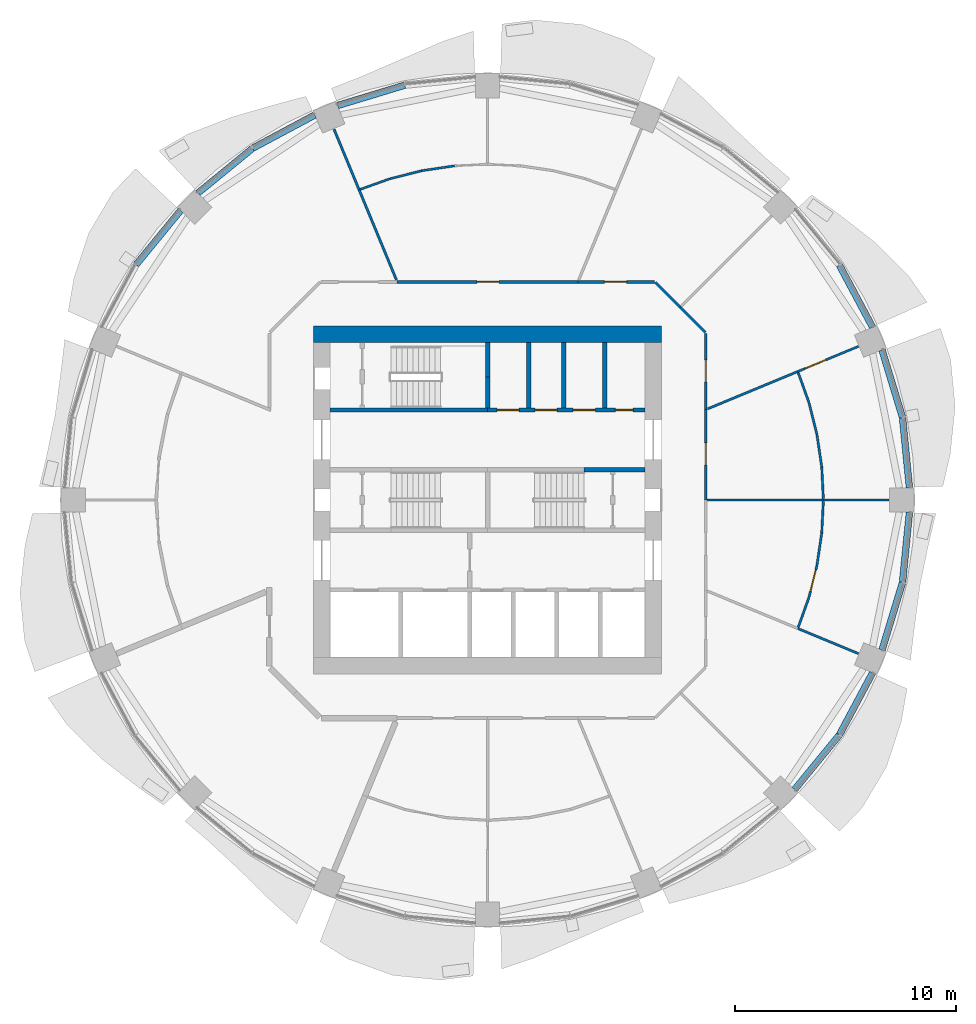
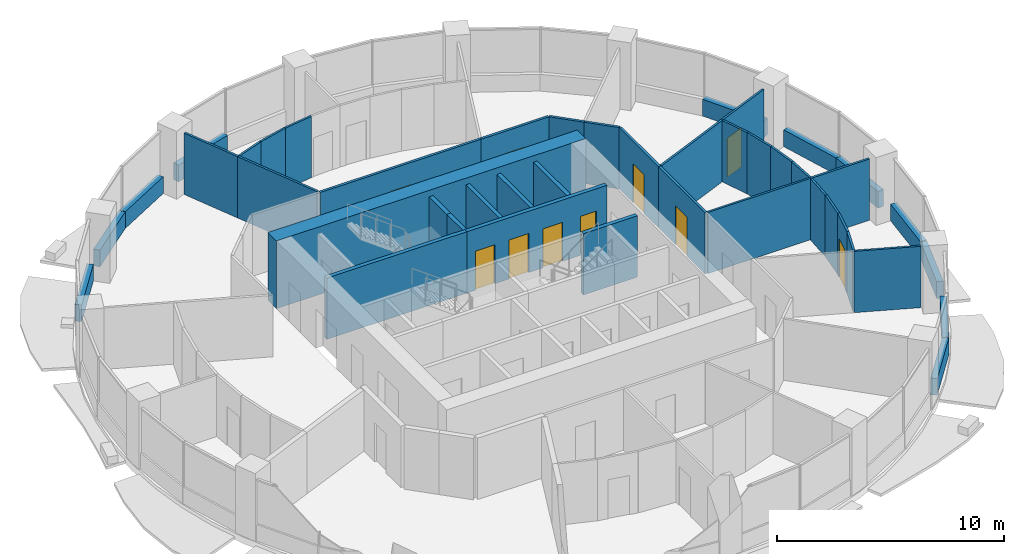
# One storey, part 10 of 15: 44 walls, 10 doors, 10 openings.
"""IFC4 building model written with IfcOpenShell, lengths in metres."""

from ifc_helpers import new_model, si_unit, direction, frame, frame_2d, origin, place, context, subcontext, project, spatial, rectangle, extrude, material, layer, layer_set, type_object, element, fill, save


model = new_model("IFC4")

# Units and contexts
model_context = context("Model", 3, precision=1e-05, world=origin(), true_north=direction((0.0, 1.0)))
body_context = subcontext(model_context, "Body", "Model", "MODEL_VIEW")
ifc_project = project(units=[si_unit("LENGTHUNIT", "METRE"), si_unit("AREAUNIT", "SQUARE_METRE"), si_unit("VOLUMEUNIT", "CUBIC_METRE"), si_unit("PLANEANGLEUNIT", "RADIAN"), si_unit("MASSUNIT", "GRAM", prefix="KILO")], contexts=[model_context])

# Site, building, storey
site_placement = place(None, origin())
site = spatial("IfcSite", under=ifc_project, at=site_placement, CompositionType="ELEMENT")
building_placement = place(site_placement, origin())
building = spatial("IfcBuilding", under=site, at=building_placement, Name="Polderwave Tower", CompositionType="ELEMENT")
storey_placement = place(building_placement, frame((0.0, 0.0, 87.35009765625)))
storey = spatial("IfcBuildingStorey", under=building, at=storey_placement, Name="L22", CompositionType="ELEMENT", Elevation=87.35009765625)

# Walls
ifc_material_1 = material(Name="Concrete C70/85", Category="concrete")
ifc_layer_1 = layer(ifc_material_1, 0.75)
ifc_layer_set_1 = layer_set([ifc_layer_1], Name="CORE WALL 750 C70/85")
wall_type_1 = type_object("IfcWallType", Name="CORE WALL 750 C70/85", PredefinedType="SHEAR", material=ifc_layer_set_1)
wall_1_placement = place(storey_placement, frame((-7.8740234375, 7.4990234375, 0.0), z_axis=(0.0, 0.0, 1.0), x_axis=(1.0, 0.0, 0.0)))
element("IfcWall", 1, at=wall_1_placement, inside=storey, type_object=wall_type_1, Name="ST-CORE-L22-N", PredefinedType="SHEAR", context=body_context, shape_type="SweptSolid", body=[
    extrude(rectangle(XDim=15.748046875, YDim=0.75, at=frame_2d((7.8740234375, 0.0))), origin(), (0.0, 0.0, 1.0), 3.64990234375),
])
ifc_material_2 = material(Name="Concrete C50/60 (board-marked)", Category="concrete")
ifc_layer_2 = layer(ifc_material_2, 0.300048828125)
ifc_layer_set_2 = layer_set([ifc_layer_2], Name="Concrete spandrel upstand C50/60")
wall_type_2 = type_object("IfcWallType", Name="Concrete spandrel upstand C50/60", PredefinedType="SOLIDWALL", material=ifc_layer_set_2)
wall_2_placement = place(storey_placement, frame((19.094482421875, 0.56396484375, 0.0), z_axis=(0.0, 0.0, 1.0), x_axis=(-0.098040704044, 0.995182405567, 0.0)))
element("IfcWall", 2, at=wall_2_placement, inside=storey, type_object=wall_type_2, Name="Spandrel L22 1a", PredefinedType="SOLIDWALL", context=body_context, shape_type="SweptSolid", body=[
    extrude(rectangle(XDim=3.172607421875, YDim=0.300048828125, at=frame_2d((1.58642578125, 0.0))), origin(), (0.0, 0.0, 1.0), 0.89990234375),
])
wall_3_placement = place(storey_placement, frame((18.777587890625, 3.75048828125, 0.0), z_axis=(0.0, 0.0, 1.0), x_axis=(-0.290325591482, 0.956927923582, 0.0)))
element("IfcWall", 3, at=wall_3_placement, inside=storey, type_object=wall_type_2, Name="Spandrel L22 1b", PredefinedType="SOLIDWALL", context=body_context, shape_type="SweptSolid", body=[
    extrude(rectangle(XDim=3.1728515625, YDim=0.300048828125, at=frame_2d((1.58642578125, 0.0))), origin(), (0.0, 0.0, 1.0), 0.89990234375),
])
wall_4_placement = place(storey_placement, frame((17.4248046875, 7.828125, 0.0), z_axis=(0.0, 0.0, 1.0), x_axis=(-0.471458802606, 0.88188808669, 0.0)))
element("IfcWall", 4, at=wall_4_placement, inside=storey, type_object=wall_type_2, Name="Spandrel L22 2a", PredefinedType="SOLIDWALL", context=body_context, shape_type="SweptSolid", body=[
    extrude(rectangle(XDim=3.17236328125, YDim=0.300048828125, at=frame_2d((1.586181640625, 0.0))), origin(), (0.0, 0.0, 1.0), 0.89990234375),
])
wall_5_placement = place(storey_placement, frame((-3.75048828125, 18.777587890625, 0.0), z_axis=(0.0, 0.0, 1.0), x_axis=(-0.956927923582, -0.290325591482, 0.0)))
element("IfcWall", 5, at=wall_5_placement, inside=storey, type_object=wall_type_2, Name="Spandrel L22 5b", PredefinedType="SOLIDWALL", context=body_context, shape_type="SweptSolid", body=[
    extrude(rectangle(XDim=3.1728515625, YDim=0.300048828125, at=frame_2d((1.58642578125, 0.0))), origin(), (0.0, 0.0, 1.0), 0.89990234375),
])
wall_6_placement = place(storey_placement, frame((-7.828125, 17.4248046875, 0.0), z_axis=(0.0, 0.0, 1.0), x_axis=(-0.88188808669, -0.471458802606, 0.0)))
element("IfcWall", 6, at=wall_6_placement, inside=storey, type_object=wall_type_2, Name="Spandrel L22 6a", PredefinedType="SOLIDWALL", context=body_context, shape_type="SweptSolid", body=[
    extrude(rectangle(XDim=3.17236328125, YDim=0.300048828125, at=frame_2d((1.586181640625, 0.0))), origin(), (0.0, 0.0, 1.0), 0.89990234375),
])
for number, where, z_axis, x_axis, name in (
    (7, (-10.650634765625, 15.91259765625, 0.0), (0.0, 0.0, 1.0), (-0.773137226182, -0.634238779555, 0.0), "Spandrel L22 6b"),
    (8, (-13.900390625, 13.103515625, 0.0), (0.0, 0.0, 1.0), (-0.634238779555, -0.773137226182, 0.0), "Spandrel L22 7a"),
    (9, (13.900390625, -13.103515625, 0.0), (0.0, 0.0, 1.0), (0.634238779555, 0.773137226182, 0.0), "Spandrel L22 15a"),
):
    element("IfcWall", number, at=place(storey_placement, frame(where, z_axis=z_axis, x_axis=x_axis)), inside=storey, type_object=wall_type_2, Name=name, PredefinedType="SOLIDWALL", context=body_context, shape_type="SweptSolid", body=[
        extrude(rectangle(XDim=3.172607421875, YDim=0.300048828125, at=frame_2d((1.58642578125, 0.0))), origin(), (0.0, 0.0, 1.0), 0.89990234375),
    ])
wall_7_placement = place(storey_placement, frame((15.92919921875, -10.625732421875, 0.0), z_axis=(0.0, 0.0, 1.0), x_axis=(0.471458802606, 0.88188808669, 0.0)))
element("IfcWall", 10, at=wall_7_placement, inside=storey, type_object=wall_type_2, Name="Spandrel L22 15b", PredefinedType="SOLIDWALL", context=body_context, shape_type="SweptSolid", body=[
    extrude(rectangle(XDim=3.17236328125, YDim=0.300048828125, at=frame_2d((1.586181640625, 0.0))), origin(), (0.0, 0.0, 1.0), 0.89990234375),
])
wall_8_placement = place(storey_placement, frame((17.8564453125, -6.78662109375, 0.0), z_axis=(0.0, 0.0, 1.0), x_axis=(0.290325591482, 0.956927923582, 0.0)))
element("IfcWall", 11, at=wall_8_placement, inside=storey, type_object=wall_type_2, Name="Spandrel L22 16a", PredefinedType="SOLIDWALL", context=body_context, shape_type="SweptSolid", body=[
    extrude(rectangle(XDim=3.1728515625, YDim=0.300048828125, at=frame_2d((1.58642578125, 0.0))), origin(), (0.0, 0.0, 1.0), 0.89990234375),
])
wall_9_placement = place(storey_placement, frame((18.783447265625, -3.72119140625, 0.0), z_axis=(0.0, 0.0, 1.0), x_axis=(0.098040704044, 0.995182405567, 0.0)))
element("IfcWall", 12, at=wall_9_placement, inside=storey, type_object=wall_type_2, Name="Spandrel L22 16b", PredefinedType="SOLIDWALL", context=body_context, shape_type="SweptSolid", body=[
    extrude(rectangle(XDim=3.172607421875, YDim=0.300048828125, at=frame_2d((1.58642578125, 0.0))), origin(), (0.0, 0.0, 1.0), 0.89990234375),
])
ifc_material_3 = material(Name="Gypsum board partition")
ifc_layer_3 = layer(ifc_material_3, 0.199951171875)
ifc_layer_set_3 = layer_set([ifc_layer_3], Name="Core room partition 200")
wall_type_3 = type_object("IfcWallType", Name="Core room partition 200", PredefinedType="PARTITIONING", material=ifc_layer_set_3)
for number, where, z_axis, x_axis, name in (
    (13, (1.86083984375, 4.174072265625, 0.0), (0.0, 0.0, 1.0), (0.0, 1.0, 0.0), "L22 room partition N1"),
    (14, (3.444580078125, 4.174072265625, 0.0), (0.0, 0.0, 1.0), (0.0, 1.0, 0.0), "L22 room partition N2"),
):
    element("IfcWall", number, at=place(storey_placement, frame(where, z_axis=z_axis, x_axis=x_axis)), inside=storey, type_object=wall_type_3, Name=name, PredefinedType="PARTITIONING", context=body_context, shape_type="SweptSolid", body=[
        extrude(rectangle(XDim=2.949951171875, YDim=0.199951171875, at=frame_2d((1.47509765625, 0.0))), origin(), (0.0, 0.0, 1.0), 3.2998046875),
    ])
ifc_material_4 = material(Name="Concrete C50/60", Category="concrete")
ifc_layer_4 = layer(ifc_material_4, 0.199951171875)
ifc_layer_set_4 = layer_set([ifc_layer_4], Name="Core web wall 200")
wall_type_4 = type_object("IfcWallType", Name="Core web wall 200", PredefinedType="SHEAR", material=ifc_layer_set_4)
wall_10_placement = place(storey_placement, frame((-7.1240234375, 4.073974609375, 0.0), z_axis=(0.0, 0.0, 1.0), x_axis=(1.0, 0.0, 0.0)))
element("IfcWall", 15, at=wall_10_placement, inside=storey, type_object=wall_type_4, Name="L22 north front wall 1", PredefinedType="SHEAR", context=body_context, shape_type="SweptSolid", body=[
    extrude(rectangle(XDim=7.1240234375, YDim=0.199951171875, at=frame_2d((3.56201171875, 0.0))), origin(), (0.0, 0.0, 1.0), 3.2998046875),
])

# Wall, openings, doors
wall_11_placement = place(storey_placement, frame((0.0, 4.073974609375, 0.0), z_axis=(0.0, 0.0, 1.0), x_axis=(1.0, 0.0, 0.0)))
wall_11 = element("IfcWall", 16, at=wall_11_placement, inside=storey, type_object=wall_type_4, Name="L22 north front wall 2", PredefinedType="SHEAR", context=body_context, shape_type="SweptSolid", body=[
    extrude(rectangle(XDim=7.1240234375, YDim=0.199951171875, at=frame_2d((3.56201171875, 0.0))), origin(), (0.0, 0.0, 1.0), 3.2998046875),
])
opening_1_placement = place(wall_11_placement, frame((0.430419921875, 0.0, 0.0)))
opening_1 = element("IfcOpeningElement", 17, at=opening_1_placement, cuts=wall_11, Name="Opening L22-D14", PredefinedType="OPENING", context=body_context, shape_type="SweptSolid", body=[
    extrude(rectangle(XDim=1.0, YDim=2.10009765625, at=frame_2d((0.5, 1.050048828125))), frame((0.0, 0.10986328125, 0.0), z_axis=(0.0, -1.0, 0.0), x_axis=(1.0, 0.0, 0.0)), (0.0, 0.0, 1.0), 0.219970703125),
])
opening_2_placement = place(wall_11_placement, frame((2.152587890625, 0.0, 0.0)))
opening_2 = element("IfcOpeningElement", 18, at=opening_2_placement, cuts=wall_11, Name="Opening L22-D15", PredefinedType="OPENING", context=body_context, shape_type="SweptSolid", body=[
    extrude(rectangle(XDim=1.0, YDim=2.10009765625, at=frame_2d((0.5, 1.050048828125))), frame((0.0, 0.10986328125, 0.0), z_axis=(0.0, -1.0, 0.0), x_axis=(1.0, 0.0, 0.0)), (0.0, 0.0, 1.0), 0.219970703125),
])
opening_3_placement = place(wall_11_placement, frame((3.875, 0.0, 0.0)))
opening_3 = element("IfcOpeningElement", 19, at=opening_3_placement, cuts=wall_11, Name="Opening L22-D16", PredefinedType="OPENING", context=body_context, shape_type="SweptSolid", body=[
    extrude(rectangle(XDim=1.0, YDim=2.10009765625, at=frame_2d((0.5, 1.050048828125))), frame((0.0, 0.10986328125, 0.0), z_axis=(0.0, -1.0, 0.0), x_axis=(1.0, 0.0, 0.0)), (0.0, 0.0, 1.0), 0.219970703125),
])
opening_4_placement = place(wall_11_placement, frame((5.789794921875, 0.0, 0.0)))
opening_4 = element("IfcOpeningElement", 20, at=opening_4_placement, cuts=wall_11, Name="Opening L22-D17", PredefinedType="OPENING", context=body_context, shape_type="SweptSolid", body=[
    extrude(rectangle(XDim=0.800048828125, YDim=2.10009765625, at=frame_2d((0.39990234375, 1.050048828125))), frame((0.0, 0.10986328125, 0.0), z_axis=(0.0, -1.0, 0.0), x_axis=(1.0, 0.0, 0.0)), (0.0, 0.0, 1.0), 0.219970703125),
])
ifc_material_5 = material(Name="Timber door leaf", Category="wood")
door_type_1 = type_object("IfcDoorType", Name="Accessible WC door 1000", OperationType="NOTDEFINED", PredefinedType="DOOR", material=ifc_material_5)
door_1_placement = place(opening_1_placement, origin())
door_1 = element("IfcDoor", 21, at=door_1_placement, inside=storey, type_object=door_type_1, Name="Accessible WC door", OperationType="SINGLE_SWING_LEFT", OverallHeight=2.10009765625, OverallWidth=1.0, PredefinedType="DOOR", context=body_context, shape_type="SweptSolid", body=[
    extrude(rectangle(XDim=1.0, YDim=2.10009765625, at=frame_2d((0.5, 1.050048828125))), frame((0.0, 0.02490234375, 0.0), z_axis=(0.0, -1.0, 0.0), x_axis=(1.0, 0.0, 0.0)), (0.0, 0.0, 1.0), 0.050048828125),
])
fill(opening_1, door_1)
ifc_material_6 = material(Name="Steel fire door", Category="steel")
door_type_2 = type_object("IfcDoorType", Name="Riser door 800", OperationType="NOTDEFINED", PredefinedType="DOOR", material=ifc_material_6)
door_2_placement = place(opening_4_placement, frame((0.800048828125, 0.0, 0.0), z_axis=(0.0, 0.0, 1.0), x_axis=(-1.0, 0.0, 0.0)))
door_2 = element("IfcDoor", 22, at=door_2_placement, inside=storey, type_object=door_type_2, Name="Riser door", OperationType="SINGLE_SWING_LEFT", OverallHeight=2.10009765625, OverallWidth=0.800048828125, PredefinedType="DOOR", context=body_context, shape_type="SweptSolid", body=[
    extrude(rectangle(XDim=0.800048828125, YDim=2.10009765625, at=frame_2d((0.39990234375, 1.050048828125))), frame((0.0, 0.02490234375, 0.0), z_axis=(0.0, -1.0, 0.0), x_axis=(1.0, 0.0, 0.0)), (0.0, 0.0, 1.0), 0.050048828125),
])
fill(opening_4, door_2)
door_type_3 = type_object("IfcDoorType", Name="Room door 1000", OperationType="NOTDEFINED", PredefinedType="DOOR", material=ifc_material_5)
door_3_placement = place(opening_2_placement, frame((1.0, 0.0, 0.0), z_axis=(0.0, 0.0, 1.0), x_axis=(-1.0, 0.0, 0.0)))
door_3 = element("IfcDoor", 23, at=door_3_placement, inside=storey, type_object=door_type_3, Name="Pump room door", OperationType="SINGLE_SWING_RIGHT", OverallHeight=2.10009765625, OverallWidth=1.0, PredefinedType="DOOR", context=body_context, shape_type="SweptSolid", body=[
    extrude(rectangle(XDim=1.0, YDim=2.10009765625, at=frame_2d((0.5, 1.050048828125))), frame((0.0, 0.02490234375, 0.0), z_axis=(0.0, -1.0, 0.0), x_axis=(1.0, 0.0, 0.0)), (0.0, 0.0, 1.0), 0.050048828125),
])
fill(opening_2, door_3)
door_4_placement = place(opening_3_placement, origin())
door_4 = element("IfcDoor", 24, at=door_4_placement, inside=storey, type_object=door_type_3, Name="Cleaner's store door", OperationType="SINGLE_SWING_RIGHT", OverallHeight=2.10009765625, OverallWidth=1.0, PredefinedType="DOOR", context=body_context, shape_type="SweptSolid", body=[
    extrude(rectangle(XDim=1.0, YDim=2.10009765625, at=frame_2d((0.5, 1.050048828125))), frame((0.0, 0.02490234375, 0.0), z_axis=(0.0, -1.0, 0.0), x_axis=(1.0, 0.0, 0.0)), (0.0, 0.0, 1.0), 0.050048828125),
])
fill(opening_3, door_4)

# Walls
wall_12_placement = place(storey_placement, frame((4.3740234375, 1.375, 0.0), z_axis=(0.0, 0.0, 1.0), x_axis=(1.0, 0.0, 0.0)))
element("IfcWall", 25, at=wall_12_placement, inside=storey, type_object=wall_type_4, Name="L22 north stair wall 4", PredefinedType="SHEAR", context=body_context, shape_type="SweptSolid", body=[
    extrude(rectangle(XDim=2.75, YDim=0.199951171875, at=frame_2d((1.375, 0.0))), origin(), (0.0, 0.0, 1.0), 3.2998046875),
])
wall_13_placement = place(storey_placement, frame((0.0, 4.174072265625, 0.0), z_axis=(0.0, 0.0, 1.0), x_axis=(0.0, 1.0, 0.0)))
element("IfcWall", 26, at=wall_13_placement, inside=storey, type_object=wall_type_4, Name="L22 stair C wall south", PredefinedType="SHEAR", context=body_context, shape_type="SweptSolid", body=[
    extrude(rectangle(XDim=1.39990234375, YDim=0.199951171875, at=frame_2d((0.699951171875, 0.0))), origin(), (0.0, 0.0, 1.0), 3.2998046875),
])
wall_14_placement = place(storey_placement, frame((0.0, 5.573974609375, 0.0), z_axis=(0.0, 0.0, 1.0), x_axis=(0.0, 1.0, 0.0)))
element("IfcWall", 27, at=wall_14_placement, inside=storey, type_object=wall_type_4, Name="L22 stair C wall north", PredefinedType="SHEAR", context=body_context, shape_type="SweptSolid", body=[
    extrude(rectangle(XDim=1.550048828125, YDim=0.199951171875, at=frame_2d((0.77490234375, 0.0))), origin(), (0.0, 0.0, 1.0), 3.2998046875),
])

# Wall, opening, door
ifc_material_7 = material(Name="Fire-resisting board on steel studs", Category="steel")
ifc_layer_5 = layer(ifc_material_7, 0.125)
ifc_layer_set_5 = layer_set([ifc_layer_5], Name="Corridor wall 125 mm EI 60")
wall_type_5 = type_object("IfcWallType", Name="Corridor wall 125 mm EI 60", PredefinedType="PARTITIONING", material=ifc_layer_set_5)
wall_15_placement = place(storey_placement, frame((9.8740234375, 4.08984375, 0.0), z_axis=(0.0, 0.0, 1.0), x_axis=(0.0, -1.0, 0.0)))
wall_15 = element("IfcWall", 28, at=wall_15_placement, inside=storey, type_object=wall_type_5, Name="IN-L22-W001", PredefinedType="PARTITIONING", context=body_context, shape_type="SweptSolid", body=[
    extrude(rectangle(XDim=4.08984375, YDim=0.125, at=frame_2d((2.044921875, 0.0))), origin(), (0.0, 0.0, 1.0), 3.2998046875),
])
opening_5_placement = place(wall_15_placement, frame((1.5, 0.0, 0.0)))
opening_5 = element("IfcOpeningElement", 29, at=opening_5_placement, cuts=wall_15, Name="Opening L22-D50", PredefinedType="OPENING", context=body_context, shape_type="SweptSolid", body=[
    extrude(rectangle(XDim=1.0, YDim=2.10009765625, at=frame_2d((0.5, 1.050048828125))), frame((0.0, 0.072509765625, 0.0), z_axis=(0.0, -1.0, 0.0), x_axis=(1.0, 0.0, 0.0)), (0.0, 0.0, 1.0), 0.14501953125),
])
ifc_material_8 = material(Name="Timber fire door leaf", Category="wood")
door_type_4 = type_object("IfcDoorType", Name="Fire door FD30S 1000 x 2100", OperationType="NOTDEFINED", PredefinedType="DOOR", material=ifc_material_8)
door_5_placement = place(opening_5_placement, origin())
door_5 = element("IfcDoor", 30, at=door_5_placement, inside=storey, type_object=door_type_4, Name="Door L22-D50", OperationType="SINGLE_SWING_LEFT", OverallHeight=2.10009765625, OverallWidth=1.0, PredefinedType="DOOR", context=body_context, shape_type="SweptSolid", body=[
    extrude(rectangle(XDim=1.0, YDim=2.10009765625, at=frame_2d((0.5, 1.050048828125))), frame((0.0, 0.02490234375, 0.0), z_axis=(0.0, -1.0, 0.0), x_axis=(1.0, 0.0, 0.0)), (0.0, 0.0, 1.0), 0.050048828125),
])
fill(opening_5, door_5)

# Wall
wall_16_placement = place(storey_placement, frame((8.722412109375, 8.722412109375, 0.0), z_axis=(0.0, 0.0, 1.0), x_axis=(0.70718294931, -0.707030604857, 0.0)))
element("IfcWall", 31, at=wall_16_placement, inside=storey, type_object=wall_type_5, Name="IN-L22-W002", PredefinedType="PARTITIONING", context=body_context, shape_type="SweptSolid", body=[
    extrude(rectangle(XDim=1.6025390625, YDim=0.125, at=frame_2d((0.80126953125, 0.0))), origin(), (0.0, 0.0, 1.0), 3.2998046875),
])

# Wall, opening, door
wall_17_placement = place(storey_placement, frame((9.8740234375, 7.545166015625, 0.0), z_axis=(0.0, 0.0, 1.0), x_axis=(0.0, -1.0, 0.0)))
wall_17 = element("IfcWall", 32, at=wall_17_placement, inside=storey, type_object=wall_type_5, Name="IN-L22-W003", PredefinedType="PARTITIONING", context=body_context, shape_type="SweptSolid", body=[
    extrude(rectangle(XDim=3.455322265625, YDim=0.125, at=frame_2d((1.7275390625, 0.0))), origin(), (0.0, 0.0, 1.0), 3.2998046875),
])
opening_6_placement = place(wall_17_placement, frame((1.199951171875, 0.0, 0.0)))
opening_6 = element("IfcOpeningElement", 33, at=opening_6_placement, cuts=wall_17, Name="Opening L22-D51", PredefinedType="OPENING", context=body_context, shape_type="SweptSolid", body=[
    extrude(rectangle(XDim=1.0, YDim=2.10009765625, at=frame_2d((0.5, 1.050048828125))), frame((0.0, 0.072509765625, 0.0), z_axis=(0.0, -1.0, 0.0), x_axis=(1.0, 0.0, 0.0)), (0.0, 0.0, 1.0), 0.14501953125),
])
door_6_placement = place(opening_6_placement, origin())
door_6 = element("IfcDoor", 34, at=door_6_placement, inside=storey, type_object=door_type_4, Name="Door L22-D51", OperationType="SINGLE_SWING_LEFT", OverallHeight=2.10009765625, OverallWidth=1.0, PredefinedType="DOOR", context=body_context, shape_type="SweptSolid", body=[
    extrude(rectangle(XDim=1.0, YDim=2.10009765625, at=frame_2d((0.5, 1.050048828125))), frame((0.0, 0.02490234375, 0.0), z_axis=(0.0, -1.0, 0.0), x_axis=(1.0, 0.0, 0.0)), (0.0, 0.0, 1.0), 0.050048828125),
])
fill(opening_6, door_6)

wall_18_placement = place(storey_placement, frame((4.08984375, 9.8740234375, 0.0), z_axis=(0.0, 0.0, 1.0), x_axis=(1.0, 0.0, 0.0)))
wall_18 = element("IfcWall", 35, at=wall_18_placement, inside=storey, type_object=wall_type_5, Name="IN-L22-W007", PredefinedType="PARTITIONING", context=body_context, shape_type="SweptSolid", body=[
    extrude(rectangle(XDim=3.455322265625, YDim=0.125, at=frame_2d((1.7275390625, 0.0))), origin(), (0.0, 0.0, 1.0), 3.2998046875),
])
opening_7_placement = place(wall_18_placement, frame((1.199951171875, 0.0, 0.0)))
opening_7 = element("IfcOpeningElement", 36, at=opening_7_placement, cuts=wall_18, Name="Opening L22-D54", PredefinedType="OPENING", context=body_context, shape_type="SweptSolid", body=[
    extrude(rectangle(XDim=1.0, YDim=2.10009765625, at=frame_2d((0.5, 1.050048828125))), frame((0.0, 0.072509765625, 0.0), z_axis=(0.0, -1.0, 0.0), x_axis=(1.0, 0.0, 0.0)), (0.0, 0.0, 1.0), 0.14501953125),
])
door_7_placement = place(opening_7_placement, origin())
door_7 = element("IfcDoor", 37, at=door_7_placement, inside=storey, type_object=door_type_4, Name="Door L22-D54", OperationType="SINGLE_SWING_LEFT", OverallHeight=2.10009765625, OverallWidth=1.0, PredefinedType="DOOR", context=body_context, shape_type="SweptSolid", body=[
    extrude(rectangle(XDim=1.0, YDim=2.10009765625, at=frame_2d((0.5, 1.050048828125))), frame((0.0, 0.02490234375, 0.0), z_axis=(0.0, -1.0, 0.0), x_axis=(1.0, 0.0, 0.0)), (0.0, 0.0, 1.0), 0.050048828125),
])
fill(opening_7, door_7)

# Wall
wall_19_placement = place(storey_placement, frame((7.58935546875, 9.855712890625, 0.0), z_axis=(0.0, 0.0, 1.0), x_axis=(0.707030604857, -0.70718294931, 0.0)))
element("IfcWall", 38, at=wall_19_placement, inside=storey, type_object=wall_type_5, Name="IN-L22-W008", PredefinedType="PARTITIONING", context=body_context, shape_type="SweptSolid", body=[
    extrude(rectangle(XDim=1.6025390625, YDim=0.125, at=frame_2d((0.80126953125, 0.0))), origin(), (0.0, 0.0, 1.0), 3.2998046875),
])

# Wall, opening, door
wall_20_placement = place(storey_placement, frame((-4.08984375, 9.8740234375, 0.0), z_axis=(0.0, 0.0, 1.0), x_axis=(1.0, 0.0, 0.0)))
wall_20 = element("IfcWall", 39, at=wall_20_placement, inside=storey, type_object=wall_type_5, Name="IN-L22-W009", PredefinedType="PARTITIONING", context=body_context, shape_type="SweptSolid", body=[
    extrude(rectangle(XDim=8.1796875, YDim=0.125, at=frame_2d((4.08984375, 0.0))), origin(), (0.0, 0.0, 1.0), 3.2998046875),
])
opening_8_placement = place(wall_20_placement, frame((3.60009765625, 0.0, 0.0)))
opening_8 = element("IfcOpeningElement", 40, at=opening_8_placement, cuts=wall_20, Name="Opening L22-D55", PredefinedType="OPENING", context=body_context, shape_type="SweptSolid", body=[
    extrude(rectangle(XDim=1.0, YDim=2.10009765625, at=frame_2d((0.5, 1.050048828125))), frame((0.0, 0.072509765625, 0.0), z_axis=(0.0, -1.0, 0.0), x_axis=(1.0, 0.0, 0.0)), (0.0, 0.0, 1.0), 0.14501953125),
])
door_8_placement = place(opening_8_placement, origin())
door_8 = element("IfcDoor", 41, at=door_8_placement, inside=storey, type_object=door_type_4, Name="Door L22-D55", OperationType="SINGLE_SWING_RIGHT", OverallHeight=2.10009765625, OverallWidth=1.0, PredefinedType="DOOR", context=body_context, shape_type="SweptSolid", body=[
    extrude(rectangle(XDim=1.0, YDim=2.10009765625, at=frame_2d((0.5, 1.050048828125))), frame((0.0, 0.02490234375, 0.0), z_axis=(0.0, -1.0, 0.0), x_axis=(1.0, 0.0, 0.0)), (0.0, 0.0, 1.0), 0.050048828125),
])
fill(opening_8, door_8)

ifc_material_9 = material(Name="Plasterboard on steel studs", Category="steel")
ifc_layer_6 = layer(ifc_material_9, 0.10009765625)
ifc_layer_set_6 = layer_set([ifc_layer_6], Name="Partition 100 mm plasterboard on steel studs")
wall_type_6 = type_object("IfcWallType", Name="Partition 100 mm plasterboard on steel studs", PredefinedType="PARTITIONING", material=ifc_layer_set_6)
wall_21_placement = place(storey_placement, frame((16.786865234375, 6.953369140625, 0.0), z_axis=(0.0, 0.0, 1.0), x_axis=(-0.923889594764, -0.382659139036, 0.0)))
wall_21 = element("IfcWall", 42, at=wall_21_placement, inside=storey, type_object=wall_type_6, Name="IN-L22-W028", PredefinedType="PARTITIONING", context=body_context, shape_type="SweptSolid", body=[
    extrude(rectangle(XDim=2.969970703125, YDim=0.10009765625, at=frame_2d((1.48486328125, 0.0))), origin(), (0.0, 0.0, 1.0), 3.2998046875),
])
opening_9_placement = place(wall_21_placement, frame((1.60009765625, 0.0, 0.0)))
opening_9 = element("IfcOpeningElement", 43, at=opening_9_placement, cuts=wall_21, Name="Opening L22-D61", PredefinedType="OPENING", context=body_context, shape_type="SweptSolid", body=[
    extrude(rectangle(XDim=1.0, YDim=2.10009765625, at=frame_2d((0.5, 1.050048828125))), frame((0.0, 0.06005859375, 0.0), z_axis=(0.0, -1.0, 0.0), x_axis=(1.0, 0.0, 0.0)), (0.0, 0.0, 1.0), 0.1201171875),
])
ifc_material_10 = material(Name="Timber veneer door leaf", Category="wood")
door_type_5 = type_object("IfcDoorType", Name="Single door 1000 x 2100", OperationType="NOTDEFINED", PredefinedType="DOOR", material=ifc_material_10)
door_9_placement = place(opening_9_placement, origin())
door_9 = element("IfcDoor", 44, at=door_9_placement, inside=storey, type_object=door_type_5, Name="Door L22-D61", OperationType="SINGLE_SWING_RIGHT", OverallHeight=2.10009765625, OverallWidth=1.0, PredefinedType="DOOR", context=body_context, shape_type="SweptSolid", body=[
    extrude(rectangle(XDim=1.0, YDim=2.10009765625, at=frame_2d((0.5, 1.050048828125))), frame((0.0, 0.02490234375, 0.0), z_axis=(0.0, -1.0, 0.0), x_axis=(1.0, 0.0, 0.0)), (0.0, 0.0, 1.0), 0.050048828125),
])
fill(opening_9, door_9)

# Walls
wall_22_placement = place(storey_placement, frame((-5.7626953125, 14.0625, 0.0), z_axis=(0.0, 0.0, 1.0), x_axis=(0.941587499657, 0.33676843749, 0.0)))
element("IfcWall", 45, at=wall_22_placement, inside=storey, type_object=wall_type_6, Name="IN-L22-W038", PredefinedType="PARTITIONING", context=body_context, shape_type="SweptSolid", body=[
    extrude(rectangle(XDim=1.431884765625, YDim=0.10009765625, at=frame_2d((0.7158203125, 0.0))), origin(), (0.0, 0.0, 1.0), 3.2998046875),
])
wall_23_placement = place(storey_placement, frame((-4.409912109375, 14.546142578125, 0.0), z_axis=(0.0, 0.0, 1.0), x_axis=(0.970055497102, 0.242883372306, 0.0)))
element("IfcWall", 46, at=wall_23_placement, inside=storey, type_object=wall_type_6, Name="IN-L22-W039", PredefinedType="PARTITIONING", context=body_context, shape_type="SweptSolid", body=[
    extrude(rectangle(XDim=1.486572265625, YDim=0.10009765625, at=frame_2d((0.7431640625, 0.0))), origin(), (0.0, 0.0, 1.0), 3.2998046875),
])
wall_24_placement = place(storey_placement, frame((-2.962890625, 14.908203125, 0.0), z_axis=(0.0, 0.0, 1.0), x_axis=(0.989166402168, 0.146798599525, 0.0)))
element("IfcWall", 47, at=wall_24_placement, inside=storey, type_object=wall_type_6, Name="IN-L22-W040", PredefinedType="PARTITIONING", context=body_context, shape_type="SweptSolid", body=[
    extrude(rectangle(XDim=1.48681640625, YDim=0.10009765625, at=frame_2d((0.743408203125, 0.0))), origin(), (0.0, 0.0, 1.0), 3.2998046875),
])
ifc_material_11 = material(Name="Moisture-resistant board on steel studs, tiled", Category="steel")
ifc_layer_7 = layer(ifc_material_11, 0.10498046875)
ifc_layer_set_7 = layer_set([ifc_layer_7], Name="Partition 105 mm wet room board and tile")
wall_type_7 = type_object("IfcWallType", Name="Partition 105 mm wet room board and tile", PredefinedType="PARTITIONING", material=ifc_layer_set_7)
wall_25_placement = place(storey_placement, frame((14.0615234375, 5.764892578125, 0.0), z_axis=(0.0, 0.0, 1.0), x_axis=(0.336940319535, -0.941526006583, 0.0)))
element("IfcWall", 48, at=wall_25_placement, inside=storey, type_object=wall_type_7, Name="IN-L22-W022", PredefinedType="PARTITIONING", context=body_context, shape_type="SweptSolid", body=[
    extrude(rectangle(XDim=1.433837890625, YDim=0.10498046875, at=frame_2d((0.716796875, 0.0))), origin(), (0.0, 0.0, 1.0), 3.2998046875),
])
wall_26_placement = place(storey_placement, frame((14.546142578125, 4.409912109375, 0.0), z_axis=(0.0, 0.0, 1.0), x_axis=(0.242922070527, -0.970045806986, 0.0)))
element("IfcWall", 49, at=wall_26_placement, inside=storey, type_object=wall_type_7, Name="IN-L22-W023", PredefinedType="PARTITIONING", context=body_context, shape_type="SweptSolid", body=[
    extrude(rectangle(XDim=1.486328125, YDim=0.10498046875, at=frame_2d((0.7431640625, 0.0))), origin(), (0.0, 0.0, 1.0), 3.2998046875),
])
wall_27_placement = place(storey_placement, frame((14.908203125, 2.962890625, 0.0), z_axis=(0.0, 0.0, 1.0), x_axis=(0.146822447166, -0.989162862732, 0.0)))
element("IfcWall", 50, at=wall_27_placement, inside=storey, type_object=wall_type_7, Name="IN-L22-W024", PredefinedType="PARTITIONING", context=body_context, shape_type="SweptSolid", body=[
    extrude(rectangle(XDim=1.486572265625, YDim=0.10498046875, at=frame_2d((0.7431640625, 0.0))), origin(), (0.0, 0.0, 1.0), 3.2998046875),
])
wall_28_placement = place(storey_placement, frame((15.126953125, 1.4873046875, 0.0), z_axis=(0.0, 0.0, 1.0), x_axis=(0.0491209592, -0.998792837062, 0.0)))
element("IfcWall", 51, at=wall_28_placement, inside=storey, type_object=wall_type_7, Name="IN-L22-W025", PredefinedType="PARTITIONING", context=body_context, shape_type="SweptSolid", body=[
    extrude(rectangle(XDim=1.431396484375, YDim=0.10498046875, at=frame_2d((0.7158203125, 0.0))), origin(), (0.0, 0.0, 1.0), 3.2998046875),
])
wall_29_placement = place(storey_placement, frame((9.95654296875, 4.1240234375, 0.0), z_axis=(0.0, 0.0, 1.0), x_axis=(0.923862097388, 0.382725521764, 0.0)))
element("IfcWall", 52, at=wall_29_placement, inside=storey, type_object=wall_type_7, Name="IN-L22-W026", PredefinedType="PARTITIONING", context=body_context, shape_type="SweptSolid", body=[
    extrude(rectangle(XDim=4.423095703125, YDim=0.10498046875, at=frame_2d((2.21142578125, 0.0))), origin(), (0.0, 0.0, 1.0), 3.2998046875),
])
wall_30_placement = place(storey_placement, frame((15.199951171875, 0.0, 0.0), z_axis=(0.0, 0.0, 1.0), x_axis=(-1.0, 0.0, 0.0)))
element("IfcWall", 53, at=wall_30_placement, inside=storey, type_object=wall_type_7, Name="IN-L22-W027", PredefinedType="PARTITIONING", context=body_context, shape_type="SweptSolid", body=[
    extrude(rectangle(XDim=5.263427734375, YDim=0.10498046875, at=frame_2d((2.6318359375, 0.0))), origin(), (0.0, 0.0, 1.0), 3.2998046875),
])
wall_31_placement = place(storey_placement, frame((14.04296875, -5.81689453125, 0.0), z_axis=(0.0, 0.0, 1.0), x_axis=(0.923889594764, -0.382659139036, 0.0)))
element("IfcWall", 54, at=wall_31_placement, inside=storey, type_object=wall_type_7, Name="IN-L22-W068", PredefinedType="PARTITIONING", context=body_context, shape_type="SweptSolid", body=[
    extrude(rectangle(XDim=2.969970703125, YDim=0.10498046875, at=frame_2d((1.48486328125, 0.0))), origin(), (0.0, 0.0, 1.0), 3.2998046875),
])
wall_32_placement = place(storey_placement, frame((14.0615234375, -5.764892578125, 0.0), z_axis=(0.0, 0.0, 1.0), x_axis=(0.336940319535, 0.941526006583, 0.0)))
element("IfcWall", 55, at=wall_32_placement, inside=storey, type_object=wall_type_7, Name="IN-L22-W070", PredefinedType="PARTITIONING", context=body_context, shape_type="SweptSolid", body=[
    extrude(rectangle(XDim=1.433837890625, YDim=0.10498046875, at=frame_2d((0.716796875, 0.0))), origin(), (0.0, 0.0, 1.0), 3.2998046875),
])

# Wall, opening, door
wall_33_placement = place(storey_placement, frame((14.9072265625, -2.968017578125, 0.0), z_axis=(0.0, 0.0, 1.0), x_axis=(-0.242922070527, -0.970045806986, 0.0)))
wall_33 = element("IfcWall", 56, at=wall_33_placement, inside=storey, type_object=wall_type_7, Name="IN-L22-W071", PredefinedType="PARTITIONING", context=body_context, shape_type="SweptSolid", body=[
    extrude(rectangle(XDim=1.486328125, YDim=0.10498046875, at=frame_2d((0.7431640625, 0.0))), origin(), (0.0, 0.0, 1.0), 3.2998046875),
])
opening_10_placement = place(wall_33_placement, frame((0.199951171875, 0.0, 0.0)))
opening_10 = element("IfcOpeningElement", 57, at=opening_10_placement, cuts=wall_33, Name="Opening L22-D68", PredefinedType="OPENING", context=body_context, shape_type="SweptSolid", body=[
    extrude(rectangle(XDim=1.0, YDim=2.10009765625, at=frame_2d((0.5, 1.050048828125))), frame((0.0, 0.0625, 0.0), z_axis=(0.0, -1.0, 0.0), x_axis=(1.0, 0.0, 0.0)), (0.0, 0.0, 1.0), 0.125),
])
door_10_placement = place(opening_10_placement, origin())
door_10 = element("IfcDoor", 58, at=door_10_placement, inside=storey, type_object=door_type_5, Name="Door L22-D68", OperationType="SINGLE_SWING_LEFT", OverallHeight=2.10009765625, OverallWidth=1.0, PredefinedType="DOOR", context=body_context, shape_type="SweptSolid", body=[
    extrude(rectangle(XDim=1.0, YDim=2.10009765625, at=frame_2d((0.5, 1.050048828125))), frame((0.0, 0.02490234375, 0.0), z_axis=(0.0, -1.0, 0.0), x_axis=(1.0, 0.0, 0.0)), (0.0, 0.0, 1.0), 0.050048828125),
])
fill(opening_10, door_10)

# Walls
wall_34_placement = place(storey_placement, frame((14.908203125, -2.962890625, 0.0), z_axis=(0.0, 0.0, 1.0), x_axis=(0.146822447166, 0.989162862732, 0.0)))
element("IfcWall", 59, at=wall_34_placement, inside=storey, type_object=wall_type_7, Name="IN-L22-W072", PredefinedType="PARTITIONING", context=body_context, shape_type="SweptSolid", body=[
    extrude(rectangle(XDim=1.486572265625, YDim=0.10498046875, at=frame_2d((0.7431640625, 0.0))), origin(), (0.0, 0.0, 1.0), 3.2998046875),
])
wall_35_placement = place(storey_placement, frame((15.126953125, -1.4873046875, 0.0), z_axis=(0.0, 0.0, 1.0), x_axis=(0.0491209592, 0.998792837062, 0.0)))
element("IfcWall", 60, at=wall_35_placement, inside=storey, type_object=wall_type_7, Name="IN-L22-W073", PredefinedType="PARTITIONING", context=body_context, shape_type="SweptSolid", body=[
    extrude(rectangle(XDim=1.431396484375, YDim=0.10498046875, at=frame_2d((0.7158203125, 0.0))), origin(), (0.0, 0.0, 1.0), 3.2998046875),
])
ifc_material_12 = material(Name="Acoustic double plasterboard on steel studs", Category="steel")
ifc_layer_8 = layer(ifc_material_12, 0.110107421875)
ifc_layer_set_8 = layer_set([ifc_layer_8], Name="Partition 110 mm acoustic double board")
wall_type_8 = type_object("IfcWallType", Name="Partition 110 mm acoustic double board", PredefinedType="PARTITIONING", material=ifc_layer_set_8)
wall_36_placement = place(storey_placement, frame((18.169921875, 0.0, 0.0), z_axis=(0.0, 0.0, 1.0), x_axis=(-1.0, 0.0, 0.0)))
element("IfcWall", 61, at=wall_36_placement, inside=storey, type_object=wall_type_8, Name="IN-L22-W029", PredefinedType="PARTITIONING", context=body_context, shape_type="SweptSolid", body=[
    extrude(rectangle(XDim=2.969970703125, YDim=0.110107421875, at=frame_2d((1.48486328125, 0.0))), origin(), (0.0, 0.0, 1.0), 3.2998046875),
])
wall_37_placement = place(storey_placement, frame((-4.12451171875, 9.95751953125, 0.0), z_axis=(0.0, 0.0, 1.0), x_axis=(-0.382709362011, 0.923868791674, 0.0)))
element("IfcWall", 62, at=wall_37_placement, inside=storey, type_object=wall_type_8, Name="IN-L22-W042", PredefinedType="PARTITIONING", context=body_context, shape_type="SweptSolid", body=[
    extrude(rectangle(XDim=4.422119140625, YDim=0.110107421875, at=frame_2d((2.2109375, 0.0))), origin(), (0.0, 0.0, 1.0), 3.2998046875),
])
wall_38_placement = place(storey_placement, frame((-5.81689453125, 14.04296875, 0.0), z_axis=(0.0, 0.0, 1.0), x_axis=(-0.382659139036, 0.923889594764, 0.0)))
element("IfcWall", 63, at=wall_38_placement, inside=storey, type_object=wall_type_8, Name="IN-L22-W043", PredefinedType="PARTITIONING", context=body_context, shape_type="SweptSolid", body=[
    extrude(rectangle(XDim=2.969970703125, YDim=0.110107421875, at=frame_2d((1.48486328125, 0.0))), origin(), (0.0, 0.0, 1.0), 3.2998046875),
])
ifc_material_13 = material(Name="Gypsum shaft wall system")
ifc_layer_9 = layer(ifc_material_13, 0.199951171875)
ifc_layer_set_9 = layer_set([ifc_layer_9], Name="Shaft wall 200")
wall_type_9 = type_object("IfcWallType", Name="Shaft wall 200", PredefinedType="PARTITIONING", material=ifc_layer_set_9)
wall_39_placement = place(storey_placement, frame((5.305419921875, 4.174072265625, 0.0), z_axis=(0.0, 0.0, 1.0), x_axis=(0.0, 1.0, 0.0)))
element("IfcWall", 64, at=wall_39_placement, inside=storey, type_object=wall_type_9, Name="L22 riser wall", PredefinedType="PARTITIONING", context=body_context, shape_type="SweptSolid", body=[
    extrude(rectangle(XDim=2.949951171875, YDim=0.199951171875, at=frame_2d((1.47509765625, 0.0))), origin(), (0.0, 0.0, 1.0), 3.2998046875),
])

save(model, "model.ifc")
